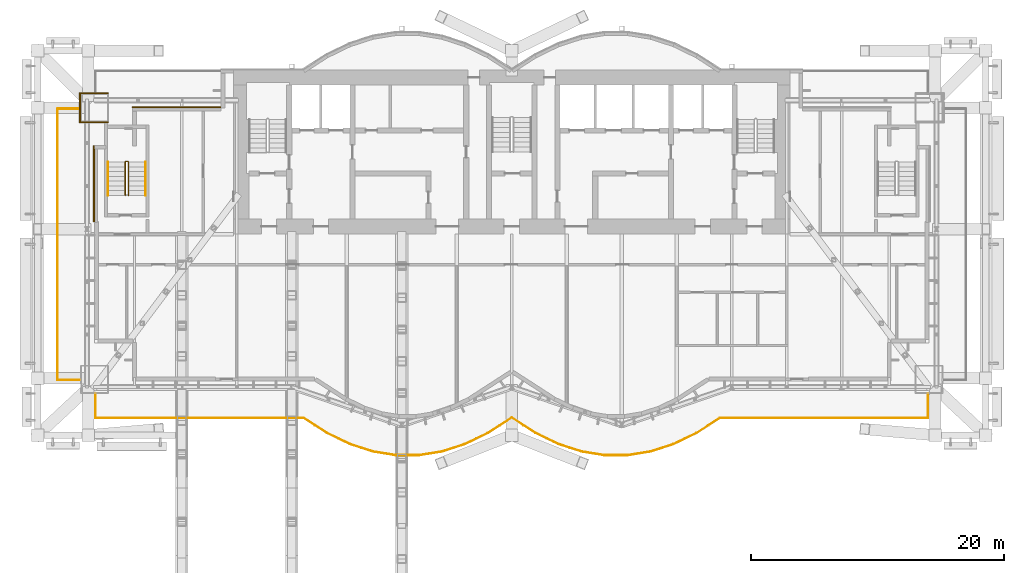
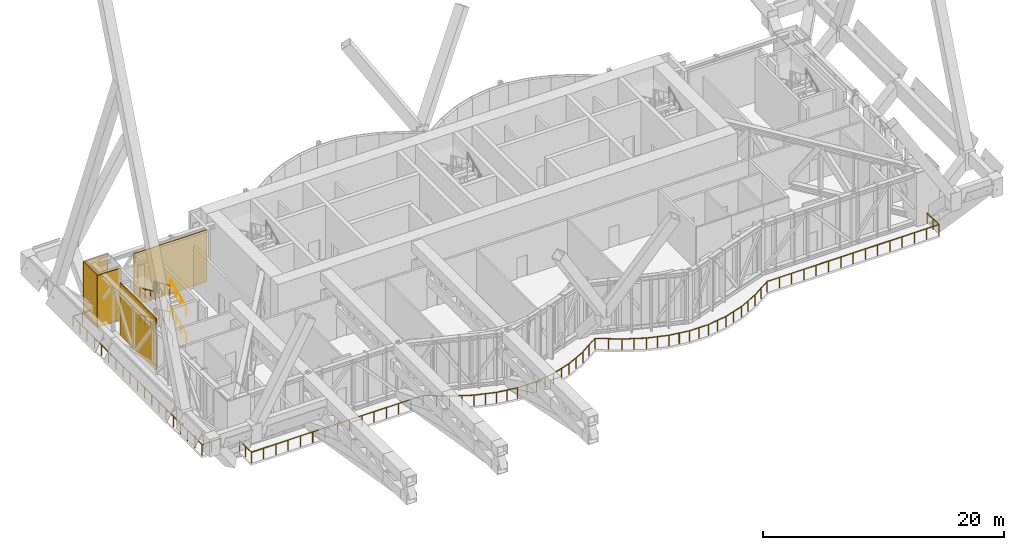
# One storey, part 28 of 30: 8 railings, 5 coverings.
"""IFC4 building model written with IfcOpenShell, lengths in metres."""

from ifc_helpers import new_model, si_unit, direction, frame, origin, origin_2d, place, context, subcontext, project, spatial, rectangle, circle, extrude, material, layer, layer_set, type_object, element, save


model = new_model("IFC4")

# Units and contexts
model_context = context("Model", 3, precision=1e-05, world=origin(), true_north=direction((0.0, 1.0)))
body_context = subcontext(model_context, "Body", "Model", "MODEL_VIEW")
ifc_project = project(units=[si_unit("LENGTHUNIT", "METRE"), si_unit("AREAUNIT", "SQUARE_METRE"), si_unit("VOLUMEUNIT", "CUBIC_METRE"), si_unit("PLANEANGLEUNIT", "RADIAN"), si_unit("MASSUNIT", "GRAM", prefix="KILO")], contexts=[model_context])

# Site, building, storey
site_placement = place(None, origin())
site = spatial("IfcSite", under=ifc_project, at=site_placement, CompositionType="ELEMENT")
building_placement = place(site_placement, origin())
building = spatial("IfcBuilding", under=site, at=building_placement, Name="Bicima Exchange Tower", CompositionType="ELEMENT")
storey_placement = place(building_placement, frame((0.0, 0.0, 287.60009765625)))
storey = spatial("IfcBuildingStorey", under=building, at=storey_placement, Name="L65", CompositionType="ELEMENT", Elevation=287.60009765625)

# Coverings
ifc_material_1 = material(Name="Bronze metal cladding")
ifc_layer_1 = layer(ifc_material_1, 0.004)
ifc_material_2 = material(Name="Ventilated cavity")
ifc_layer_2 = layer(ifc_material_2, 0.06)
ifc_material_3 = material(Name="Galvanised steel rail and mineral wool", Category="steel")
ifc_layer_3 = layer(ifc_material_3, 0.036)
ifc_layer_set = layer_set([ifc_layer_1, ifc_layer_2, ifc_layer_3], Name="Ventilated cavity")
covering_type = type_object("IfcCoveringType", Name="Bronze metal cladding panel 100", PredefinedType="CLADDING", material=ifc_layer_set)
covering_1_placement = place(storey_placement, frame((-26.5, -2.949951171875, 0.0), z_axis=(0.0, 0.0, 1.0), x_axis=(-1.0, 0.0, 0.0)))
element("IfcCovering", 1, at=covering_1_placement, inside=storey, type_object=covering_type, Name="Bronze cladding L65 28.1", PredefinedType="CLADDING", context=body_context, shape_type="SweptSolid", body=[
    extrude(rectangle(XDim=7.0, YDim=0.10009765625, at=origin_2d()), origin(), (0.0, 0.0, 1.0), 5.25),
])
covering_2_placement = place(storey_placement, frame((-33.050048828125, -9.0, 0.0), z_axis=(0.0, 0.0, 1.0), x_axis=(0.0, -1.0, 0.0)))
element("IfcCovering", 2, at=covering_2_placement, inside=storey, type_object=covering_type, Name="Bronze cladding L65 31.1", PredefinedType="CLADDING", context=body_context, shape_type="SweptSolid", body=[
    extrude(rectangle(XDim=6.0, YDim=0.10009765625, at=origin_2d()), origin(), (0.0, 0.0, 1.0), 5.25),
])
for number, where, z_axis, x_axis, name in (
    (3, (-33.050048828125, -1.85009765625, 0.0), (0.0, 0.0, 1.0), (1.0, 0.0, 0.0), "Column cladding L65 1N"),
    (4, (-33.050048828125, -4.14990234375, 0.0), (0.0, 0.0, 1.0), (1.0, 0.0, 0.0), "Column cladding L65 1S"),
):
    element("IfcCovering", number, at=place(storey_placement, frame(where, z_axis=z_axis, x_axis=x_axis)), inside=storey, type_object=covering_type, Name=name, PredefinedType="CLADDING", context=body_context, shape_type="SweptSolid", body=[
        extrude(rectangle(XDim=2.300048828125, YDim=0.10009765625, at=origin_2d()), origin(), (0.0, 0.0, 1.0), 5.25),
    ])
covering_3_placement = place(storey_placement, frame((-34.14990234375, -3.0, 0.0), z_axis=(0.0, 0.0, 1.0), x_axis=(1.0, 0.0, 0.0)))
element("IfcCovering", 5, at=covering_3_placement, inside=storey, type_object=covering_type, Name="Column cladding L65 1O", PredefinedType="CLADDING", context=body_context, shape_type="SweptSolid", body=[
    extrude(rectangle(XDim=0.10009765625, YDim=2.199951171875, at=origin_2d()), origin(), (0.0, 0.0, 1.0), 5.25),
])

# Railings
ifc_material_4 = material(Name="Stainless steel", Category="steel")
railing_type_1 = type_object("IfcRailingType", Name="Stair guard 1100", PredefinedType="GUARDRAIL", material=ifc_material_4)
railing_1_placement = place(storey_placement, frame((-30.324951171875, -9.925048828125, 0.168701171875)))
element("IfcRailing", 6, at=railing_1_placement, inside=storey, type_object=railing_type_1, Name="L65 ST-WW stair guard 1", PredefinedType="GUARDRAIL", context=body_context, shape_type="SweptSolid", body=[
    extrude(circle(Radius=0.02392578125, at=origin_2d()), frame((0.0, 0.0, 1.076171875), z_axis=(0.0, 0.912233369549, 0.409670940488), x_axis=(-1.0, 0.0, 0.0)), (0.0, 0.0, 1.0), 2.883056640625),
    extrude(circle(Radius=0.02392578125, at=origin_2d()), frame((0.0, 2.630126953125, 2.25732421875), z_axis=(-0.708833529934, 0.705375805398, 0.0), x_axis=(-0.705375805398, -0.708833529934, 0.0)), (0.0, 0.0, 1.0), 0.070556640625),
    extrude(circle(Radius=0.02392578125, at=origin_2d()), frame((-0.050048828125, 2.679931640625, 2.25732421875), z_axis=(-1.0, 0.0, 0.0), x_axis=(0.0, -1.0, 0.0)), (0.0, 0.0, 1.0), 0.14990234375),
    extrude(circle(Radius=0.02392578125, at=origin_2d()), frame((-0.199951171875, 2.679931640625, 2.25732421875), z_axis=(-0.273668752699, -0.272333783174, 0.922463942026), x_axis=(0.705375805398, -0.708833529934, 0.0)), (0.0, 0.0, 1.0), 0.182861328125),
    extrude(circle(Radius=0.02392578125, at=origin_2d()), frame((-0.25, 2.630126953125, 2.42578125), z_axis=(0.0, -0.912201722539, 0.409741403079), x_axis=(1.0, 0.0, 0.0)), (0.0, 0.0, 1.0), 2.88330078125),
    extrude(circle(Radius=0.02099609375, at=origin_2d()), origin(), (0.0, 0.0, 1.0), 1.052001953125),
    extrude(circle(Radius=0.02099609375, at=origin_2d()), frame((0.0, 0.876708984375, 0.393798828125)), (0.0, 0.0, 1.0), 1.052001953125),
    extrude(circle(Radius=0.02099609375, at=origin_2d()), frame((0.0, 1.75341796875, 0.787353515625)), (0.0, 0.0, 1.0), 1.052001953125),
    extrude(circle(Radius=0.02099609375, at=origin_2d()), frame((0.0, 2.630126953125, 1.18115234375)), (0.0, 0.0, 1.0), 1.052001953125),
    extrude(circle(Radius=0.02099609375, at=origin_2d()), frame((-0.050048828125, 2.679931640625, 1.18115234375)), (0.0, 0.0, 1.0), 1.052001953125),
    extrude(circle(Radius=0.02099609375, at=origin_2d()), frame((-0.199951171875, 2.679931640625, 1.18115234375)), (0.0, 0.0, 1.0), 1.052001953125),
    extrude(circle(Radius=0.02099609375, at=origin_2d()), frame((-0.25, 2.630126953125, 1.349853515625)), (0.0, 0.0, 1.0), 1.052001953125),
    extrude(circle(Radius=0.02099609375, at=origin_2d()), frame((-0.25, 1.75341796875, 1.74365234375)), (0.0, 0.0, 1.0), 1.052001953125),
    extrude(circle(Radius=0.02099609375, at=origin_2d()), frame((-0.25, 0.876708984375, 2.137451171875)), (0.0, 0.0, 1.0), 1.052001953125),
    extrude(circle(Radius=0.02099609375, at=origin_2d()), frame((-0.25, 0.0, 2.53125)), (0.0, 0.0, 1.0), 1.052001953125),
])
railing_2_placement = place(storey_placement, frame((-30.324951171875, -9.925048828125, 2.86865234375)))
element("IfcRailing", 7, at=railing_2_placement, inside=storey, type_object=railing_type_1, Name="L65 ST-WW stair guard 2", PredefinedType="GUARDRAIL", context=body_context, shape_type="SweptSolid", body=[
    extrude(circle(Radius=0.02392578125, at=origin_2d()), frame((0.0, 0.0, 1.076171875), z_axis=(0.0, 0.912233369549, 0.409670940488), x_axis=(-1.0, 0.0, 0.0)), (0.0, 0.0, 1.0), 2.883056640625),
    extrude(circle(Radius=0.02392578125, at=origin_2d()), frame((0.0, 2.630126953125, 2.25732421875), z_axis=(-0.708833529934, 0.705375805398, 0.0), x_axis=(-0.705375805398, -0.708833529934, 0.0)), (0.0, 0.0, 1.0), 0.070556640625),
    extrude(circle(Radius=0.02392578125, at=origin_2d()), frame((-0.050048828125, 2.679931640625, 2.25732421875), z_axis=(-1.0, 0.0, 0.0), x_axis=(0.0, -1.0, 0.0)), (0.0, 0.0, 1.0), 0.14990234375),
    extrude(circle(Radius=0.02392578125, at=origin_2d()), frame((-0.199951171875, 2.679931640625, 2.25732421875), z_axis=(-0.273332118527, -0.271998791119, 0.922662565953), x_axis=(0.705375805398, -0.708833529934, 0.0)), (0.0, 0.0, 1.0), 0.18310546875),
    extrude(circle(Radius=0.02392578125, at=origin_2d()), frame((-0.25, 2.630126953125, 2.42626953125), z_axis=(0.0, -0.912233369549, 0.409670940488), x_axis=(1.0, 0.0, 0.0)), (0.0, 0.0, 1.0), 2.883056640625),
    extrude(circle(Radius=0.02099609375, at=origin_2d()), origin(), (0.0, 0.0, 1.0), 1.052001953125),
    extrude(circle(Radius=0.02099609375, at=origin_2d()), frame((0.0, 0.876708984375, 0.393798828125)), (0.0, 0.0, 1.0), 1.052001953125),
    extrude(circle(Radius=0.02099609375, at=origin_2d()), frame((0.0, 1.75341796875, 0.787353515625)), (0.0, 0.0, 1.0), 1.052001953125),
    extrude(circle(Radius=0.02099609375, at=origin_2d()), frame((0.0, 2.630126953125, 1.18115234375)), (0.0, 0.0, 1.0), 1.052001953125),
    extrude(circle(Radius=0.02099609375, at=origin_2d()), frame((-0.050048828125, 2.679931640625, 1.18115234375)), (0.0, 0.0, 1.0), 1.052001953125),
    extrude(circle(Radius=0.02099609375, at=origin_2d()), frame((-0.199951171875, 2.679931640625, 1.18115234375)), (0.0, 0.0, 1.0), 1.052001953125),
    extrude(circle(Radius=0.02099609375, at=origin_2d()), frame((-0.25, 2.630126953125, 1.35009765625)), (0.0, 0.0, 1.0), 1.052001953125),
    extrude(circle(Radius=0.02099609375, at=origin_2d()), frame((-0.25, 1.75341796875, 1.743896484375)), (0.0, 0.0, 1.0), 1.052001953125),
    extrude(circle(Radius=0.02099609375, at=origin_2d()), frame((-0.25, 0.876708984375, 2.137451171875)), (0.0, 0.0, 1.0), 1.052001953125),
    extrude(circle(Radius=0.02099609375, at=origin_2d()), frame((-0.25, 0.0, 2.53125)), (0.0, 0.0, 1.0), 1.052001953125),
])
railing_type_2 = type_object("IfcRailingType", Name="Stair handrail 900", PredefinedType="HANDRAIL", material=ifc_material_4)
railing_3_placement = place(storey_placement, frame((-28.97509765625, -9.925048828125, 0.168701171875)))
element("IfcRailing", 8, at=railing_3_placement, inside=storey, type_object=railing_type_2, Name="L65 ST-WW stair handrail 1", PredefinedType="HANDRAIL", context=body_context, shape_type="SweptSolid", body=[
    extrude(circle(Radius=0.02392578125, at=origin_2d()), frame((0.0, 0.0, 0.8759765625), z_axis=(0.0, 0.912233369549, 0.409670940488), x_axis=(-1.0, 0.0, 0.0)), (0.0, 0.0, 1.0), 2.883056640625),
    extrude(circle(Radius=0.02099609375, at=origin_2d()), origin(), (0.0, 0.0, 1.0), 0.851806640625),
    extrude(circle(Radius=0.02099609375, at=origin_2d()), frame((0.0, 0.876708984375, 0.393798828125)), (0.0, 0.0, 1.0), 0.851806640625),
    extrude(circle(Radius=0.02099609375, at=origin_2d()), frame((0.0, 1.75341796875, 0.787353515625)), (0.0, 0.0, 1.0), 0.851806640625),
    extrude(circle(Radius=0.02099609375, at=origin_2d()), frame((0.0, 2.630126953125, 1.18115234375)), (0.0, 0.0, 1.0), 0.851806640625),
])
railing_4_placement = place(storey_placement, frame((-31.925048828125, -7.294921875, 1.5185546875)))
element("IfcRailing", 9, at=railing_4_placement, inside=storey, type_object=railing_type_2, Name="L65 ST-WW stair handrail 2", PredefinedType="HANDRAIL", context=body_context, shape_type="SweptSolid", body=[
    extrude(circle(Radius=0.02392578125, at=origin_2d()), frame((0.0, 0.0, 0.8759765625), z_axis=(0.0, -0.912201722539, 0.409741403079), x_axis=(1.0, 0.0, 0.0)), (0.0, 0.0, 1.0), 2.88330078125),
    extrude(circle(Radius=0.02099609375, at=origin_2d()), origin(), (0.0, 0.0, 1.0), 0.851806640625),
    extrude(circle(Radius=0.02099609375, at=origin_2d()), frame((0.0, -0.876708984375, 0.393798828125)), (0.0, 0.0, 1.0), 0.851806640625),
    extrude(circle(Radius=0.02099609375, at=origin_2d()), frame((0.0, -1.75341796875, 0.78759765625)), (0.0, 0.0, 1.0), 0.851806640625),
    extrude(circle(Radius=0.02099609375, at=origin_2d()), frame((0.0, -2.630126953125, 1.181396484375)), (0.0, 0.0, 1.0), 0.851806640625),
])
railing_5_placement = place(storey_placement, frame((-28.97509765625, -9.925048828125, 2.86865234375)))
element("IfcRailing", 10, at=railing_5_placement, inside=storey, type_object=railing_type_2, Name="L65 ST-WW stair handrail 3", PredefinedType="HANDRAIL", context=body_context, shape_type="SweptSolid", body=[
    extrude(circle(Radius=0.02392578125, at=origin_2d()), frame((0.0, 0.0, 0.8759765625), z_axis=(0.0, 0.912233369549, 0.409670940488), x_axis=(-1.0, 0.0, 0.0)), (0.0, 0.0, 1.0), 2.883056640625),
    extrude(circle(Radius=0.02099609375, at=origin_2d()), origin(), (0.0, 0.0, 1.0), 0.851806640625),
    extrude(circle(Radius=0.02099609375, at=origin_2d()), frame((0.0, 0.876708984375, 0.393798828125)), (0.0, 0.0, 1.0), 0.851806640625),
    extrude(circle(Radius=0.02099609375, at=origin_2d()), frame((0.0, 1.75341796875, 0.787353515625)), (0.0, 0.0, 1.0), 0.851806640625),
    extrude(circle(Radius=0.02099609375, at=origin_2d()), frame((0.0, 2.630126953125, 1.18115234375)), (0.0, 0.0, 1.0), 0.851806640625),
])
railing_6_placement = place(storey_placement, frame((-31.925048828125, -7.294921875, 4.241455078125)))
element("IfcRailing", 11, at=railing_6_placement, inside=storey, type_object=railing_type_2, Name="L65 ST-WW stair handrail 4", PredefinedType="HANDRAIL", context=body_context, shape_type="SweptSolid", body=[
    extrude(circle(Radius=0.02392578125, at=origin_2d()), frame((0.0, 0.0, 0.8759765625), z_axis=(0.0, -0.912233369549, 0.409670940488), x_axis=(1.0, 0.0, 0.0)), (0.0, 0.0, 1.0), 2.883056640625),
    extrude(circle(Radius=0.02099609375, at=origin_2d()), origin(), (0.0, 0.0, 1.0), 0.851806640625),
    extrude(circle(Radius=0.02099609375, at=origin_2d()), frame((0.0, -0.876708984375, 0.393798828125)), (0.0, 0.0, 1.0), 0.851806640625),
    extrude(circle(Radius=0.02099609375, at=origin_2d()), frame((0.0, -1.75341796875, 0.787353515625)), (0.0, 0.0, 1.0), 0.851806640625),
    extrude(circle(Radius=0.02099609375, at=origin_2d()), frame((0.0, -2.630126953125, 1.18115234375)), (0.0, 0.0, 1.0), 0.851806640625),
])
ifc_material_5 = material(Name="Stainless steel and bonded safety glass", Category="steel")
railing_type_3 = type_object("IfcRailingType", Name="Terrace guard 1100", PredefinedType="GUARDRAIL", material=ifc_material_5)
railing_7_placement = place(storey_placement, frame((-34.10009765625, -24.52392578125, 0.0)))
element("IfcRailing", 12, at=railing_7_placement, inside=storey, type_object=railing_type_3, Name="Terrace guard L65 1", PredefinedType="GUARDRAIL", context=body_context, shape_type="SweptSolid", body=[
    extrude(circle(Radius=0.02392578125, at=origin_2d()), frame((0.0, 0.0, 1.076171875), z_axis=(-1.0, 0.0, 0.0), x_axis=(0.0, -1.0, 0.0)), (0.0, 0.0, 1.0), 1.81982421875),
    extrude(circle(Radius=0.02392578125, at=origin_2d()), frame((-1.81982421875, 0.0, 1.076171875), z_axis=(0.0, 1.0, 0.0), x_axis=(-1.0, 0.0, 0.0)), (0.0, 0.0, 1.0), 21.44384765625),
    extrude(circle(Radius=0.02392578125, at=origin_2d()), frame((-1.81982421875, 21.44384765625, 1.076171875), z_axis=(1.0, 0.0, 0.0), x_axis=(0.0, 1.0, 0.0)), (0.0, 0.0, 1.0), 1.81982421875),
    extrude(circle(Radius=0.02099609375, at=origin_2d()), origin(), (0.0, 0.0, 1.0), 1.052001953125),
    extrude(circle(Radius=0.02099609375, at=origin_2d()), frame((-0.909912109375, 0.0, 0.0)), (0.0, 0.0, 1.0), 1.052001953125),
    extrude(circle(Radius=0.02099609375, at=origin_2d()), frame((-1.81982421875, 0.0, 0.0)), (0.0, 0.0, 1.0), 1.052001953125),
    extrude(circle(Radius=0.02099609375, at=origin_2d()), frame((-1.81982421875, 1.19140625, 0.0)), (0.0, 0.0, 1.0), 1.052001953125),
    extrude(circle(Radius=0.02099609375, at=origin_2d()), frame((-1.81982421875, 2.382568359375, 0.0)), (0.0, 0.0, 1.0), 1.052001953125),
    extrude(circle(Radius=0.02099609375, at=origin_2d()), frame((-1.81982421875, 3.573974609375, 0.0)), (0.0, 0.0, 1.0), 1.052001953125),
    extrude(circle(Radius=0.02099609375, at=origin_2d()), frame((-1.81982421875, 4.765380859375, 0.0)), (0.0, 0.0, 1.0), 1.052001953125),
    extrude(circle(Radius=0.02099609375, at=origin_2d()), frame((-1.81982421875, 5.95654296875, 0.0)), (0.0, 0.0, 1.0), 1.052001953125),
    extrude(circle(Radius=0.02099609375, at=origin_2d()), frame((-1.81982421875, 7.14794921875, 0.0)), (0.0, 0.0, 1.0), 1.052001953125),
    extrude(circle(Radius=0.02099609375, at=origin_2d()), frame((-1.81982421875, 8.33935546875, 0.0)), (0.0, 0.0, 1.0), 1.052001953125),
    extrude(circle(Radius=0.02099609375, at=origin_2d()), frame((-1.81982421875, 9.530517578125, 0.0)), (0.0, 0.0, 1.0), 1.052001953125),
    extrude(circle(Radius=0.02099609375, at=origin_2d()), frame((-1.81982421875, 10.721923828125, 0.0)), (0.0, 0.0, 1.0), 1.052001953125),
    extrude(circle(Radius=0.02099609375, at=origin_2d()), frame((-1.81982421875, 11.913330078125, 0.0)), (0.0, 0.0, 1.0), 1.052001953125),
    extrude(circle(Radius=0.02099609375, at=origin_2d()), frame((-1.81982421875, 13.1044921875, 0.0)), (0.0, 0.0, 1.0), 1.052001953125),
    extrude(circle(Radius=0.02099609375, at=origin_2d()), frame((-1.81982421875, 14.2958984375, 0.0)), (0.0, 0.0, 1.0), 1.052001953125),
    extrude(circle(Radius=0.02099609375, at=origin_2d()), frame((-1.81982421875, 15.4873046875, 0.0)), (0.0, 0.0, 1.0), 1.052001953125),
    extrude(circle(Radius=0.02099609375, at=origin_2d()), frame((-1.81982421875, 16.678466796875, 0.0)), (0.0, 0.0, 1.0), 1.052001953125),
    extrude(circle(Radius=0.02099609375, at=origin_2d()), frame((-1.81982421875, 17.869873046875, 0.0)), (0.0, 0.0, 1.0), 1.052001953125),
    extrude(circle(Radius=0.02099609375, at=origin_2d()), frame((-1.81982421875, 19.061279296875, 0.0)), (0.0, 0.0, 1.0), 1.052001953125),
    extrude(circle(Radius=0.02099609375, at=origin_2d()), frame((-1.81982421875, 20.25244140625, 0.0)), (0.0, 0.0, 1.0), 1.052001953125),
    extrude(circle(Radius=0.02099609375, at=origin_2d()), frame((-1.81982421875, 21.44384765625, 0.0)), (0.0, 0.0, 1.0), 1.052001953125),
    extrude(circle(Radius=0.02099609375, at=origin_2d()), frame((-0.909912109375, 21.44384765625, 0.0)), (0.0, 0.0, 1.0), 1.052001953125),
    extrude(circle(Radius=0.02099609375, at=origin_2d()), frame((0.0, 21.44384765625, 0.0)), (0.0, 0.0, 1.0), 1.052001953125),
])
railing_8_placement = place(storey_placement, frame((32.919921875, -25.58203125, 0.0)))
element("IfcRailing", 13, at=railing_8_placement, inside=storey, type_object=railing_type_3, Name="Terrace guard L65 5", PredefinedType="GUARDRAIL", context=body_context, shape_type="SweptSolid", body=[
    extrude(circle(Radius=0.02392578125, at=origin_2d()), frame((0.0, 0.0, 1.076171875), z_axis=(0.0, -1.0, 0.0), x_axis=(1.0, 0.0, 0.0)), (0.0, 0.0, 1.0), 1.94189453125),
    extrude(circle(Radius=0.02392578125, at=origin_2d()), frame((0.0, -1.94189453125, 1.076171875), z_axis=(-1.0, 0.0, 0.0), x_axis=(0.0, -1.0, 0.0)), (0.0, 0.0, 1.0), 16.443603515625),
    extrude(circle(Radius=0.02392578125, at=origin_2d()), frame((-16.443603515625, -1.94189453125, 1.076171875), z_axis=(-0.839730768212, -0.54300298058, 0.0), x_axis=(0.54300298058, -0.839730768212, 0.0)), (0.0, 0.0, 1.0), 2.20166015625),
    extrude(circle(Radius=0.02392578125, at=origin_2d()), frame((-18.29248046875, -3.137451171875, 1.076171875), z_axis=(-0.899828434483, -0.436243955253, 0.0), x_axis=(0.436243955253, -0.899828434483, 0.0)), (0.0, 0.0, 1.0), 2.027099609375),
    extrude(circle(Radius=0.02392578125, at=origin_2d()), frame((-20.116455078125, -4.021728515625, 1.076171875), z_axis=(-0.951549885168, -0.307494416268, 0.0), x_axis=(0.307494416268, -0.951549885168, 0.0)), (0.0, 0.0, 1.0), 1.9150390625),
    extrude(circle(Radius=0.02392578125, at=origin_2d()), frame((-21.938720703125, -4.610595703125, 1.076171875), z_axis=(-0.987176602657, -0.159631936552, 0.0), x_axis=(0.159631936552, -0.987176602657, 0.0)), (0.0, 0.0, 1.0), 1.844482421875),
    extrude(circle(Radius=0.02392578125, at=origin_2d()), frame((-23.759521484375, -4.905029296875, 1.076171875), z_axis=(-1.0, 0.0, 0.0), x_axis=(0.0, -1.0, 0.0)), (0.0, 0.0, 1.0), 1.82080078125),
    extrude(circle(Radius=0.02392578125, at=origin_2d()), frame((-25.580322265625, -4.905029296875, 1.076171875), z_axis=(-0.987176602657, 0.159631936552, 0.0), x_axis=(-0.159631936552, -0.987176602657, 0.0)), (0.0, 0.0, 1.0), 1.844482421875),
    extrude(circle(Radius=0.02392578125, at=origin_2d()), frame((-27.401123046875, -4.610595703125, 1.076171875), z_axis=(-0.951549885168, 0.307494416268, 0.0), x_axis=(-0.307494416268, -0.951549885168, 0.0)), (0.0, 0.0, 1.0), 1.9150390625),
    extrude(circle(Radius=0.02392578125, at=origin_2d()), frame((-29.223388671875, -4.021728515625, 1.076171875), z_axis=(-0.899828434483, 0.436243955253, 0.0), x_axis=(-0.436243955253, -0.899828434483, 0.0)), (0.0, 0.0, 1.0), 2.027099609375),
    extrude(circle(Radius=0.02392578125, at=origin_2d()), frame((-31.04736328125, -3.137451171875, 1.076171875), z_axis=(-0.839766911995, 0.542947081693, 0.0), x_axis=(-0.542947081693, -0.839766911995, 0.0)), (0.0, 0.0, 1.0), 2.229736328125),
    extrude(circle(Radius=0.02392578125, at=origin_2d()), frame((-32.919921875, -1.9267578125, 1.076171875), z_axis=(-0.839766911995, -0.542947081693, 0.0), x_axis=(0.542947081693, -0.839766911995, 0.0)), (0.0, 0.0, 1.0), 2.229736328125),
    extrude(circle(Radius=0.02392578125, at=origin_2d()), frame((-34.79248046875, -3.137451171875, 1.076171875), z_axis=(-0.899828434483, -0.436243955253, 0.0), x_axis=(0.436243955253, -0.899828434483, 0.0)), (0.0, 0.0, 1.0), 2.027099609375),
    extrude(circle(Radius=0.02392578125, at=origin_2d()), frame((-36.616455078125, -4.021728515625, 1.076171875), z_axis=(-0.951549885168, -0.307494416268, 0.0), x_axis=(0.307494416268, -0.951549885168, 0.0)), (0.0, 0.0, 1.0), 1.9150390625),
    extrude(circle(Radius=0.02392578125, at=origin_2d()), frame((-38.438720703125, -4.610595703125, 1.076171875), z_axis=(-0.987176602657, -0.159631936552, 0.0), x_axis=(0.159631936552, -0.987176602657, 0.0)), (0.0, 0.0, 1.0), 1.844482421875),
    extrude(circle(Radius=0.02392578125, at=origin_2d()), frame((-40.259521484375, -4.905029296875, 1.076171875), z_axis=(-1.0, 0.0, 0.0), x_axis=(0.0, -1.0, 0.0)), (0.0, 0.0, 1.0), 1.82080078125),
    extrude(circle(Radius=0.02392578125, at=origin_2d()), frame((-42.080322265625, -4.905029296875, 1.076171875), z_axis=(-0.987176602657, 0.159631936552, 0.0), x_axis=(-0.159631936552, -0.987176602657, 0.0)), (0.0, 0.0, 1.0), 1.844482421875),
    extrude(circle(Radius=0.02392578125, at=origin_2d()), frame((-43.901123046875, -4.610595703125, 1.076171875), z_axis=(-0.951549885168, 0.307494416268, 0.0), x_axis=(-0.307494416268, -0.951549885168, 0.0)), (0.0, 0.0, 1.0), 1.9150390625),
    extrude(circle(Radius=0.02392578125, at=origin_2d()), frame((-45.723388671875, -4.021728515625, 1.076171875), z_axis=(-0.899828434483, 0.436243955253, 0.0), x_axis=(-0.436243955253, -0.899828434483, 0.0)), (0.0, 0.0, 1.0), 2.027099609375),
    extrude(circle(Radius=0.02392578125, at=origin_2d()), frame((-47.54736328125, -3.137451171875, 1.076171875), z_axis=(-0.839730768212, 0.54300298058, 0.0), x_axis=(-0.54300298058, -0.839730768212, 0.0)), (0.0, 0.0, 1.0), 2.20166015625),
    extrude(circle(Radius=0.02392578125, at=origin_2d()), frame((-49.396240234375, -1.94189453125, 1.076171875), z_axis=(-1.0, 0.0, 0.0), x_axis=(0.0, -1.0, 0.0)), (0.0, 0.0, 1.0), 16.443603515625),
    extrude(circle(Radius=0.02392578125, at=origin_2d()), frame((-65.83984375, -1.94189453125, 1.076171875), z_axis=(0.0, 1.0, 0.0), x_axis=(-1.0, 0.0, 0.0)), (0.0, 0.0, 1.0), 1.94189453125),
    extrude(circle(Radius=0.02099609375, at=origin_2d()), origin(), (0.0, 0.0, 1.0), 1.052001953125),
    extrude(circle(Radius=0.02099609375, at=origin_2d()), frame((0.0, -0.970947265625, 0.0)), (0.0, 0.0, 1.0), 1.052001953125),
    extrude(circle(Radius=0.02099609375, at=origin_2d()), frame((0.0, -1.94189453125, 0.0)), (0.0, 0.0, 1.0), 1.052001953125),
    extrude(circle(Radius=0.02099609375, at=origin_2d()), frame((-1.174560546875, -1.94189453125, 0.0)), (0.0, 0.0, 1.0), 1.052001953125),
    extrude(circle(Radius=0.02099609375, at=origin_2d()), frame((-2.34912109375, -1.94189453125, 0.0)), (0.0, 0.0, 1.0), 1.052001953125),
    extrude(circle(Radius=0.02099609375, at=origin_2d()), frame((-3.523681640625, -1.94189453125, 0.0)), (0.0, 0.0, 1.0), 1.052001953125),
    extrude(circle(Radius=0.02099609375, at=origin_2d()), frame((-4.6982421875, -1.94189453125, 0.0)), (0.0, 0.0, 1.0), 1.052001953125),
    extrude(circle(Radius=0.02099609375, at=origin_2d()), frame((-5.872802734375, -1.94189453125, 0.0)), (0.0, 0.0, 1.0), 1.052001953125),
    extrude(circle(Radius=0.02099609375, at=origin_2d()), frame((-7.04736328125, -1.94189453125, 0.0)), (0.0, 0.0, 1.0), 1.052001953125),
    extrude(circle(Radius=0.02099609375, at=origin_2d()), frame((-8.2216796875, -1.94189453125, 0.0)), (0.0, 0.0, 1.0), 1.052001953125),
    extrude(circle(Radius=0.02099609375, at=origin_2d()), frame((-9.396240234375, -1.94189453125, 0.0)), (0.0, 0.0, 1.0), 1.052001953125),
    extrude(circle(Radius=0.02099609375, at=origin_2d()), frame((-10.57080078125, -1.94189453125, 0.0)), (0.0, 0.0, 1.0), 1.052001953125),
    extrude(circle(Radius=0.02099609375, at=origin_2d()), frame((-11.745361328125, -1.94189453125, 0.0)), (0.0, 0.0, 1.0), 1.052001953125),
    extrude(circle(Radius=0.02099609375, at=origin_2d()), frame((-12.919921875, -1.94189453125, 0.0)), (0.0, 0.0, 1.0), 1.052001953125),
    extrude(circle(Radius=0.02099609375, at=origin_2d()), frame((-14.094482421875, -1.94189453125, 0.0)), (0.0, 0.0, 1.0), 1.052001953125),
    extrude(circle(Radius=0.02099609375, at=origin_2d()), frame((-15.26904296875, -1.94189453125, 0.0)), (0.0, 0.0, 1.0), 1.052001953125),
    extrude(circle(Radius=0.02099609375, at=origin_2d()), frame((-16.443603515625, -1.94189453125, 0.0)), (0.0, 0.0, 1.0), 1.052001953125),
    extrude(circle(Radius=0.02099609375, at=origin_2d()), frame((-17.3681640625, -2.53955078125, 0.0)), (0.0, 0.0, 1.0), 1.052001953125),
    extrude(circle(Radius=0.02099609375, at=origin_2d()), frame((-18.29248046875, -3.137451171875, 0.0)), (0.0, 0.0, 1.0), 1.052001953125),
    extrude(circle(Radius=0.02099609375, at=origin_2d()), frame((-19.20458984375, -3.57958984375, 0.0)), (0.0, 0.0, 1.0), 1.052001953125),
    extrude(circle(Radius=0.02099609375, at=origin_2d()), frame((-20.116455078125, -4.021728515625, 0.0)), (0.0, 0.0, 1.0), 1.052001953125),
    extrude(circle(Radius=0.02099609375, at=origin_2d()), frame((-21.027587890625, -4.316162109375, 0.0)), (0.0, 0.0, 1.0), 1.052001953125),
    extrude(circle(Radius=0.02099609375, at=origin_2d()), frame((-21.938720703125, -4.610595703125, 0.0)), (0.0, 0.0, 1.0), 1.052001953125),
    extrude(circle(Radius=0.02099609375, at=origin_2d()), frame((-22.84912109375, -4.7578125, 0.0)), (0.0, 0.0, 1.0), 1.052001953125),
    extrude(circle(Radius=0.02099609375, at=origin_2d()), frame((-23.759521484375, -4.905029296875, 0.0)), (0.0, 0.0, 1.0), 1.052001953125),
    extrude(circle(Radius=0.02099609375, at=origin_2d()), frame((-24.669921875, -4.905029296875, 0.0)), (0.0, 0.0, 1.0), 1.052001953125),
    extrude(circle(Radius=0.02099609375, at=origin_2d()), frame((-25.580322265625, -4.905029296875, 0.0)), (0.0, 0.0, 1.0), 1.052001953125),
    extrude(circle(Radius=0.02099609375, at=origin_2d()), frame((-26.49072265625, -4.7578125, 0.0)), (0.0, 0.0, 1.0), 1.052001953125),
    extrude(circle(Radius=0.02099609375, at=origin_2d()), frame((-27.401123046875, -4.610595703125, 0.0)), (0.0, 0.0, 1.0), 1.052001953125),
    extrude(circle(Radius=0.02099609375, at=origin_2d()), frame((-28.312255859375, -4.316162109375, 0.0)), (0.0, 0.0, 1.0), 1.052001953125),
    extrude(circle(Radius=0.02099609375, at=origin_2d()), frame((-29.223388671875, -4.021728515625, 0.0)), (0.0, 0.0, 1.0), 1.052001953125),
    extrude(circle(Radius=0.02099609375, at=origin_2d()), frame((-30.13525390625, -3.57958984375, 0.0)), (0.0, 0.0, 1.0), 1.052001953125),
    extrude(circle(Radius=0.02099609375, at=origin_2d()), frame((-31.04736328125, -3.137451171875, 0.0)), (0.0, 0.0, 1.0), 1.052001953125),
    extrude(circle(Radius=0.02099609375, at=origin_2d()), frame((-31.983642578125, -2.5322265625, 0.0)), (0.0, 0.0, 1.0), 1.052001953125),
    extrude(circle(Radius=0.02099609375, at=origin_2d()), frame((-32.919921875, -1.9267578125, 0.0)), (0.0, 0.0, 1.0), 1.052001953125),
    extrude(circle(Radius=0.02099609375, at=origin_2d()), frame((-33.856201171875, -2.5322265625, 0.0)), (0.0, 0.0, 1.0), 1.052001953125),
    extrude(circle(Radius=0.02099609375, at=origin_2d()), frame((-34.79248046875, -3.137451171875, 0.0)), (0.0, 0.0, 1.0), 1.052001953125),
    extrude(circle(Radius=0.02099609375, at=origin_2d()), frame((-35.70458984375, -3.57958984375, 0.0)), (0.0, 0.0, 1.0), 1.052001953125),
    extrude(circle(Radius=0.02099609375, at=origin_2d()), frame((-36.616455078125, -4.021728515625, 0.0)), (0.0, 0.0, 1.0), 1.052001953125),
    extrude(circle(Radius=0.02099609375, at=origin_2d()), frame((-37.527587890625, -4.316162109375, 0.0)), (0.0, 0.0, 1.0), 1.052001953125),
    extrude(circle(Radius=0.02099609375, at=origin_2d()), frame((-38.438720703125, -4.610595703125, 0.0)), (0.0, 0.0, 1.0), 1.052001953125),
    extrude(circle(Radius=0.02099609375, at=origin_2d()), frame((-39.34912109375, -4.7578125, 0.0)), (0.0, 0.0, 1.0), 1.052001953125),
    extrude(circle(Radius=0.02099609375, at=origin_2d()), frame((-40.259521484375, -4.905029296875, 0.0)), (0.0, 0.0, 1.0), 1.052001953125),
    extrude(circle(Radius=0.02099609375, at=origin_2d()), frame((-41.169921875, -4.905029296875, 0.0)), (0.0, 0.0, 1.0), 1.052001953125),
    extrude(circle(Radius=0.02099609375, at=origin_2d()), frame((-42.080322265625, -4.905029296875, 0.0)), (0.0, 0.0, 1.0), 1.052001953125),
    extrude(circle(Radius=0.02099609375, at=origin_2d()), frame((-42.99072265625, -4.7578125, 0.0)), (0.0, 0.0, 1.0), 1.052001953125),
    extrude(circle(Radius=0.02099609375, at=origin_2d()), frame((-43.901123046875, -4.610595703125, 0.0)), (0.0, 0.0, 1.0), 1.052001953125),
    extrude(circle(Radius=0.02099609375, at=origin_2d()), frame((-44.812255859375, -4.316162109375, 0.0)), (0.0, 0.0, 1.0), 1.052001953125),
    extrude(circle(Radius=0.02099609375, at=origin_2d()), frame((-45.723388671875, -4.021728515625, 0.0)), (0.0, 0.0, 1.0), 1.052001953125),
    extrude(circle(Radius=0.02099609375, at=origin_2d()), frame((-46.63525390625, -3.57958984375, 0.0)), (0.0, 0.0, 1.0), 1.052001953125),
    extrude(circle(Radius=0.02099609375, at=origin_2d()), frame((-47.54736328125, -3.137451171875, 0.0)), (0.0, 0.0, 1.0), 1.052001953125),
    extrude(circle(Radius=0.02099609375, at=origin_2d()), frame((-48.4716796875, -2.53955078125, 0.0)), (0.0, 0.0, 1.0), 1.052001953125),
    extrude(circle(Radius=0.02099609375, at=origin_2d()), frame((-49.396240234375, -1.94189453125, 0.0)), (0.0, 0.0, 1.0), 1.052001953125),
    extrude(circle(Radius=0.02099609375, at=origin_2d()), frame((-50.57080078125, -1.94189453125, 0.0)), (0.0, 0.0, 1.0), 1.052001953125),
    extrude(circle(Radius=0.02099609375, at=origin_2d()), frame((-51.745361328125, -1.94189453125, 0.0)), (0.0, 0.0, 1.0), 1.052001953125),
    extrude(circle(Radius=0.02099609375, at=origin_2d()), frame((-52.919921875, -1.94189453125, 0.0)), (0.0, 0.0, 1.0), 1.052001953125),
    extrude(circle(Radius=0.02099609375, at=origin_2d()), frame((-54.094482421875, -1.94189453125, 0.0)), (0.0, 0.0, 1.0), 1.052001953125),
    extrude(circle(Radius=0.02099609375, at=origin_2d()), frame((-55.26904296875, -1.94189453125, 0.0)), (0.0, 0.0, 1.0), 1.052001953125),
    extrude(circle(Radius=0.02099609375, at=origin_2d()), frame((-56.443603515625, -1.94189453125, 0.0)), (0.0, 0.0, 1.0), 1.052001953125),
    extrude(circle(Radius=0.02099609375, at=origin_2d()), frame((-57.6181640625, -1.94189453125, 0.0)), (0.0, 0.0, 1.0), 1.052001953125),
    extrude(circle(Radius=0.02099609375, at=origin_2d()), frame((-58.79248046875, -1.94189453125, 0.0)), (0.0, 0.0, 1.0), 1.052001953125),
    extrude(circle(Radius=0.02099609375, at=origin_2d()), frame((-59.967041015625, -1.94189453125, 0.0)), (0.0, 0.0, 1.0), 1.052001953125),
    extrude(circle(Radius=0.02099609375, at=origin_2d()), frame((-61.1416015625, -1.94189453125, 0.0)), (0.0, 0.0, 1.0), 1.052001953125),
    extrude(circle(Radius=0.02099609375, at=origin_2d()), frame((-62.316162109375, -1.94189453125, 0.0)), (0.0, 0.0, 1.0), 1.052001953125),
    extrude(circle(Radius=0.02099609375, at=origin_2d()), frame((-63.49072265625, -1.94189453125, 0.0)), (0.0, 0.0, 1.0), 1.052001953125),
    extrude(circle(Radius=0.02099609375, at=origin_2d()), frame((-64.665283203125, -1.94189453125, 0.0)), (0.0, 0.0, 1.0), 1.052001953125),
    extrude(circle(Radius=0.02099609375, at=origin_2d()), frame((-65.83984375, -1.94189453125, 0.0)), (0.0, 0.0, 1.0), 1.052001953125),
    extrude(circle(Radius=0.02099609375, at=origin_2d()), frame((-65.83984375, -0.970947265625, 0.0)), (0.0, 0.0, 1.0), 1.052001953125),
    extrude(circle(Radius=0.02099609375, at=origin_2d()), frame((-65.83984375, 0.0, 0.0)), (0.0, 0.0, 1.0), 1.052001953125),
])

save(model, "model.ifc")
